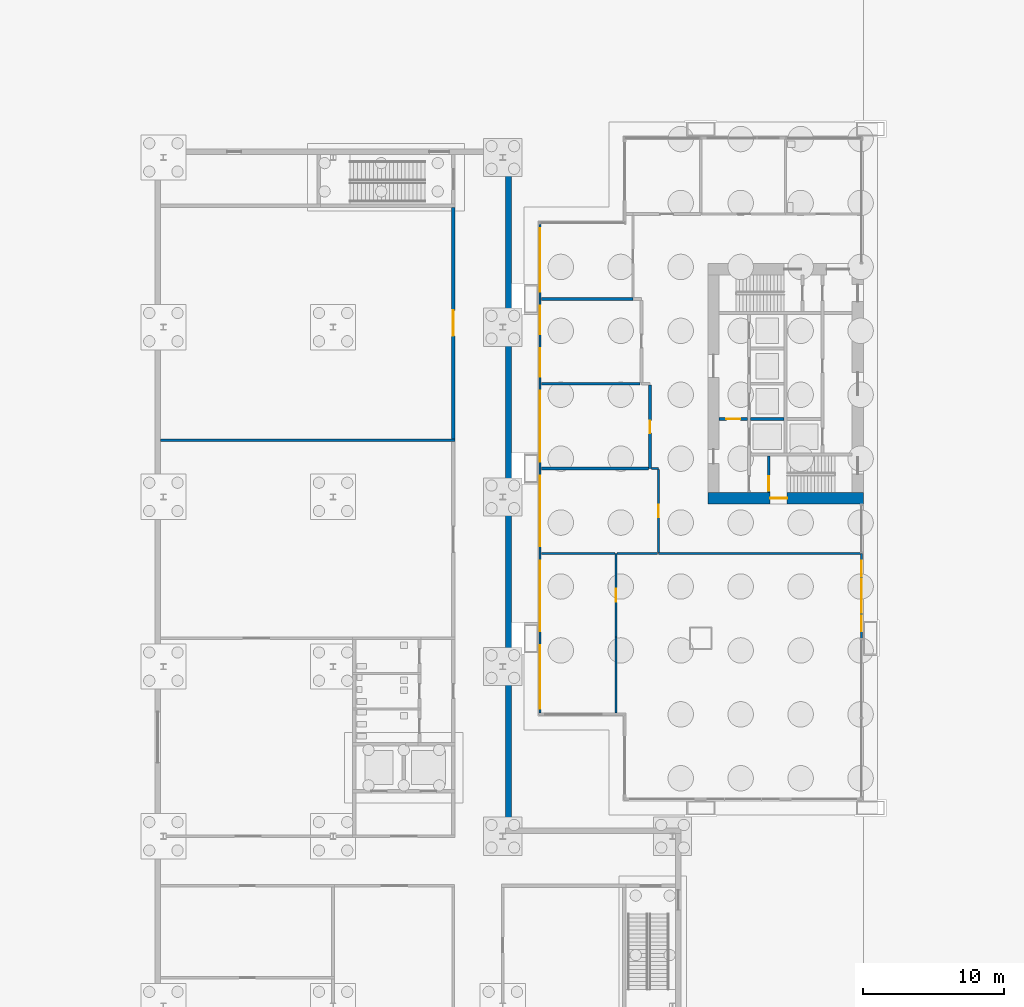
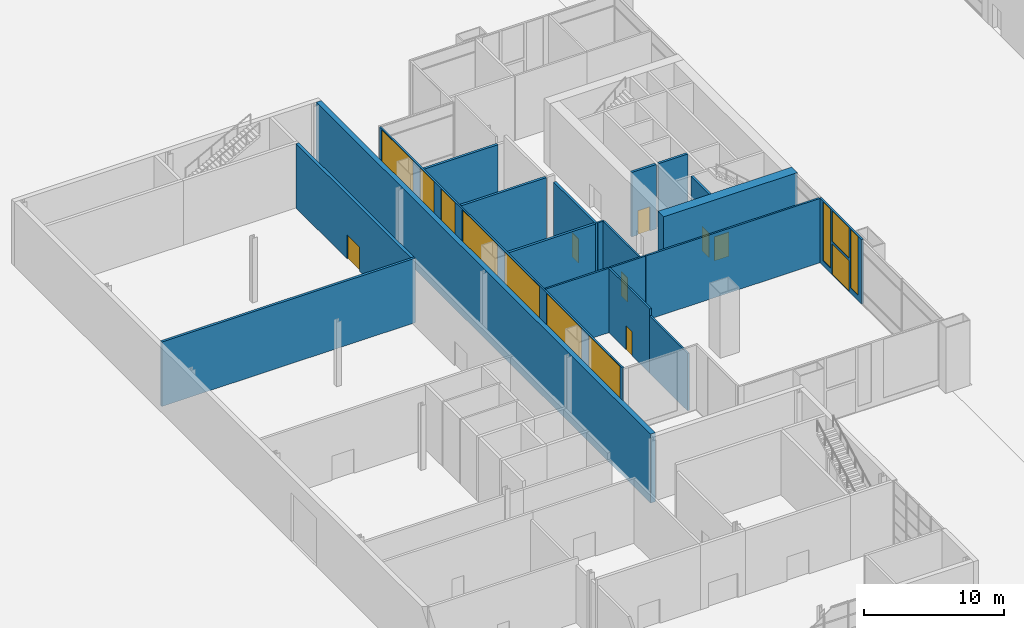
# One storey, part 20 of 29: 20 walls, 10 windows, 8 doors, 18 openings.
"""IFC4 building model written with IfcOpenShell, lengths in metres."""

import ifcopenshell
import ifcopenshell.guid

model = None  # the IFC model being written
_history = None  # IfcOwnerHistory: only IFC2X3 demands one
_inside = {}  # id of a spatial element -> (the spatial element, [elements in it])
_under = {}  # id of a project, library or spatial element -> (it, [spatial elements below it])
_declared = {}  # id of a project -> (the project, [libraries it declares])
_typed = {}  # id of a type object -> (the type object, [elements of that type])
_made_of = {}  # id of a material, layer set ... -> (it, [elements and type objects made of it])


def new_model(schema):
    """Start an empty IFC model of exactly this schema.

    Asked for "IFC4X3", IfcOpenShell would pick the latest addendum, in which some entities
    have other attributes; the version numbers below select the first issue.
    IFC2X3 requires an IfcOwnerHistory on every rooted entity: one is made here for all.
    """
    global model, _history
    if schema == "IFC4X3":
        model = ifcopenshell.file(schema_version=(4, 3, 0, 0))
    else:
        model = ifcopenshell.file(schema=schema)
    _inside.clear()
    _under.clear()
    _declared.clear()
    _typed.clear()
    _made_of.clear()
    _history = None
    if model.schema == "IFC2X3":
        org = make("IfcOrganization", Name="unknown")
        user = make(
            "IfcPersonAndOrganization",
            ThePerson=make("IfcPerson", FamilyName="unknown"),
            TheOrganization=org,
        )
        app = make(
            "IfcApplication",
            ApplicationDeveloper=org,
            Version="unknown",
            ApplicationFullName="unknown",
            ApplicationIdentifier="unknown",
        )
        _history = make(
            "IfcOwnerHistory",
            OwningUser=user,
            OwningApplication=app,
            ChangeAction="ADDED",
            CreationDate=0,
        )
    return model


def make(cls, **values):
    """One entity of the class cls with the attributes given. An attribute that is None is left unset."""
    return model.create_entity(
        cls, **{name: value for name, value in values.items() if value is not None}
    )


def rooted(cls, **values):
    """An entity with a GlobalId (a new one), such as an element, a storey or a relation."""
    return make(cls, GlobalId=ifcopenshell.guid.new(), OwnerHistory=_history, **values)


def si_unit(unit_type, name, prefix=None):
    """IfcSIUnit, for example si_unit("LENGTHUNIT", "METRE", prefix="MILLI")."""
    return make("IfcSIUnit", UnitType=unit_type, Prefix=prefix, Name=name)


def assignment(units):
    """IfcUnitAssignment: the units of a project."""
    return None if units is None else make("IfcUnitAssignment", Units=units)


def point(xyz):
    """IfcCartesianPoint."""
    return None if xyz is None else make("IfcCartesianPoint", Coordinates=xyz)


def direction(xyz):
    """IfcDirection."""
    return None if xyz is None else make("IfcDirection", DirectionRatios=xyz)


def frame(location, z_axis=None, x_axis=None):
    """IfcAxis2Placement3D, a coordinate frame: its origin and axes. An axis left out is left unset."""
    return make(
        "IfcAxis2Placement3D",
        Location=point(location),
        Axis=direction(z_axis),
        RefDirection=direction(x_axis),
    )


def frame_2d(location, x_axis=None):
    """IfcAxis2Placement2D, a coordinate frame in the plane: its origin and x axis."""
    return make(
        "IfcAxis2Placement2D", Location=point(location), RefDirection=direction(x_axis)
    )


def origin():
    """The frame at (0, 0, 0) with its axes left unset."""
    return frame((0.0, 0.0, 0.0))


def place(relative_to, where):
    """IfcLocalPlacement: puts the frame where relative to a parent placement (None: the world)."""
    return make(
        "IfcLocalPlacement", PlacementRelTo=relative_to, RelativePlacement=where
    )


def context(
    kind, dimensions, precision=None, world=None, true_north=None, identifier=None
):
    """IfcGeometricRepresentationContext, for example the 3D "Model" context."""
    return make(
        "IfcGeometricRepresentationContext",
        ContextIdentifier=identifier,
        ContextType=kind,
        CoordinateSpaceDimension=dimensions,
        Precision=precision,
        WorldCoordinateSystem=world,
        TrueNorth=true_north,
    )


def subcontext(parent, identifier, kind, view, scale=None):
    """IfcGeometricRepresentationSubContext, for example "Body" below "Model"."""
    return make(
        "IfcGeometricRepresentationSubContext",
        ContextIdentifier=identifier,
        ContextType=kind,
        ParentContext=parent,
        TargetScale=scale,
        TargetView=view,
    )


def project(units=None, contexts=None):
    """IfcProject with its units and contexts."""
    return rooted(
        "IfcProject",
        Name="project",
        RepresentationContexts=contexts,
        UnitsInContext=assignment(units),
    )


def spatial(cls, under=None, at=None, **own):
    """A site, building, storey or space (cls), placed at a placement, below another one or the project."""
    s = rooted(cls, ObjectPlacement=at, **own)
    if under is not None:
        _under.setdefault(under.id(), (under, []))[1].append(s)
    return s


def profile(cls, at=None, kind="AREA", **sizes):
    """A parametric profile (cls). Its sizes go by their IFC names, for example OverallWidth=200.0."""
    return make(cls, ProfileType=kind, Position=at, **sizes)


def rectangle(**sizes):
    """IfcRectangleProfileDef."""
    return profile("IfcRectangleProfileDef", **sizes)


def extrude(swept, where, along, depth):
    """IfcExtrudedAreaSolid: the profile swept, set in the frame where, extruded along a direction by depth."""
    return make(
        "IfcExtrudedAreaSolid",
        SweptArea=swept,
        Position=where,
        ExtrudedDirection=direction(along),
        Depth=depth,
    )


def shape(context_of_items, identifier, shape_type, items):
    """IfcShapeRepresentation: the items that make up one representation, for example the "Body"."""
    return make(
        "IfcShapeRepresentation",
        ContextOfItems=context_of_items,
        RepresentationIdentifier=identifier,
        RepresentationType=shape_type,
        Items=items,
    )


def material(Name=None, Category=None):
    """IfcMaterial."""
    return make("IfcMaterial", Name=Name, Category=Category)


def layer(
    of_material, thickness, ventilated=None, Name=None, Category=None, Priority=None
):
    """IfcMaterialLayer: one layer of a wall or slab, of a material (None: an air gap)."""
    return make(
        "IfcMaterialLayer",
        Material=of_material,
        LayerThickness=thickness,
        IsVentilated=ventilated,
        Name=Name,
        Category=Category,
        Priority=Priority,
    )


def layer_set(layers, Name=None):
    """IfcMaterialLayerSet."""
    return make("IfcMaterialLayerSet", MaterialLayers=layers, LayerSetName=Name)


def made_of(thing, what):
    """Note that an element or type object is made of a material, layer set ...; save() writes the relation."""
    if what is not None:
        _made_of.setdefault(what.id(), (what, []))[1].append(thing)
    return thing


def type_object(cls, material=None, **own):
    """A type object (cls), such as IfcWallType, which elements share."""
    return made_of(rooted(cls, **own), material)


def element(
    cls,
    number,
    at=None,
    inside=None,
    cuts=None,
    type_object=None,
    material=None,
    context=None,
    identifier="Body",
    shape_type=None,
    held_by="IfcProductDefinitionShape",
    body=None,
    shapes=None,
    **own,
):
    """One element of the class cls, such as IfcWall. Its Tag is "e" and its number.

    at: its placement. inside: the storey or other place that contains it. cuts: it is an
    opening in that element (IfcRelVoidsElement). A single representation is given by context,
    identifier, shape_type and body (its items); several are given by shapes. held_by: the class
    of the entity that holds the representations. save() writes the other relations.
    """
    e = rooted(cls, Tag="e%d" % number, ObjectPlacement=at, **own)
    if body is not None:
        shapes = [shape(context, identifier, shape_type, body)]
    if shapes is not None:
        e.Representation = make(held_by, Representations=shapes)
    if inside is not None:
        _inside.setdefault(inside.id(), (inside, []))[1].append(e)
    if cuts is not None:
        rooted(
            "IfcRelVoidsElement", RelatingBuildingElement=cuts, RelatedOpeningElement=e
        )
    if type_object is not None:
        _typed.setdefault(type_object.id(), (type_object, []))[1].append(e)
    return made_of(e, material)


def fill(opening, filler):
    """IfcRelFillsElement: the door or window that sits in an opening."""
    return rooted(
        "IfcRelFillsElement",
        RelatingOpeningElement=opening,
        RelatedBuildingElement=filler,
    )


def aggregate(whole, parts):
    """IfcRelAggregates: a whole, such as a stair, and the parts it consists of."""
    return rooted("IfcRelAggregates", RelatingObject=whole, RelatedObjects=parts)


def save(model, path):
    """Write the relations noted so far, then the file.

    IfcRelAggregates (storeys below a building ...), IfcRelContainedInSpatialStructure (elements
    in a storey), IfcRelDefinesByType, IfcRelAssociatesMaterial and IfcRelDeclares: one each for
    every whole, place, type object, material and project.
    """
    for whole, parts in _under.values():
        aggregate(whole, parts)
    for where, things in _inside.values():
        rooted(
            "IfcRelContainedInSpatialStructure",
            RelatedElements=things,
            RelatingStructure=where,
        )
    for kind, things in _typed.values():
        rooted("IfcRelDefinesByType", RelatedObjects=things, RelatingType=kind)
    for what, things in _made_of.values():
        rooted("IfcRelAssociatesMaterial", RelatedObjects=things, RelatingMaterial=what)
    for by, libraries in _declared.values():
        rooted("IfcRelDeclares", RelatingContext=by, RelatedDefinitions=libraries)
    model.write(path)


model = new_model("IFC4")

# Units and contexts
model_context = context("Model", 3, precision=1e-05, world=origin(), true_north=direction((0.0, 1.0)))
body_context = subcontext(model_context, "Body", "Model", "MODEL_VIEW")
ifc_project = project(units=[si_unit("LENGTHUNIT", "METRE"), si_unit("AREAUNIT", "SQUARE_METRE"), si_unit("VOLUMEUNIT", "CUBIC_METRE"), si_unit("PLANEANGLEUNIT", "RADIAN"), si_unit("MASSUNIT", "GRAM", prefix="KILO")], contexts=[model_context])

# Site, building, storey
site_placement = place(None, origin())
site = spatial("IfcSite", under=ifc_project, at=site_placement, CompositionType="ELEMENT")
building_placement = place(site_placement, origin())
building = spatial("IfcBuilding", under=site, at=building_placement, Name="Kitamizu Gate Tower and Museum", CompositionType="ELEMENT")
storey_placement = place(building_placement, origin())
storey = spatial("IfcBuildingStorey", under=building, at=storey_placement, Name="L00", CompositionType="ELEMENT", Elevation=0.0)

# Wall, opening, door
ifc_material_1 = material(Name="Concrete Fc60", Category="concrete")
ifc_layer_1 = layer(ifc_material_1, 0.800048828125)
ifc_layer_set_1 = layer_set([ifc_layer_1], Name="Concrete Fc60")
wall_type_1 = type_object("IfcWallType", Name="Core wall 800", PredefinedType="SHEAR", material=ifc_layer_set_1)
wall_1_placement = place(storey_placement, frame((12.5, 21.89990234375, 0.0), z_axis=(0.0, 0.0, 1.0), x_axis=(1.0, 0.0, 0.0)))
wall_1 = element("IfcWall", 1, at=wall_1_placement, inside=storey, type_object=wall_type_1, Name="Core wall WS", PredefinedType="SHEAR", context=body_context, shape_type="SweptSolid", body=[
    extrude(rectangle(XDim=11.0, YDim=0.800048828125, at=frame_2d((5.5, 0.0))), origin(), (0.0, 0.0, 1.0), 5.60009765625),
])
opening_1_placement = place(wall_1_placement, frame((4.39990234375, 0.0, 0.0)))
opening_1 = element("IfcOpeningElement", 2, at=opening_1_placement, cuts=wall_1, Name="Opening L00-024", PredefinedType="OPENING", context=body_context, shape_type="SweptSolid", body=[
    extrude(rectangle(XDim=1.199951171875, YDim=2.10009765625, at=frame_2d((0.60009765625, 1.050048828125))), frame((0.0, 0.41015625, 0.0), z_axis=(0.0, -1.0, 0.0), x_axis=(1.0, 0.0, 0.0)), (0.0, 0.0, 1.0), 0.820068359375),
])
ifc_material_2 = material(Name="Timber door set", Category="wood")
door_type_1 = type_object("IfcDoorType", Name="Exit door 1200", OperationType="DOUBLE_DOOR_SINGLE_SWING", PredefinedType="DOOR", material=ifc_material_2)
door_1_placement = place(opening_1_placement, frame((1.199951171875, 0.0, 0.0), x_axis=(-1.0, 0.0, 0.0)))
door_1 = element("IfcDoor", 3, at=door_1_placement, inside=storey, type_object=door_type_1, Name="Stair exit door L00-024", OperationType="DOUBLE_DOOR_SINGLE_SWING", OverallHeight=2.10009765625, OverallWidth=1.199951171875, PredefinedType="DOOR", context=body_context, shape_type="SweptSolid", body=[
    extrude(rectangle(XDim=1.199951171875, YDim=2.10009765625, at=frame_2d((0.60009765625, 1.050048828125))), frame((0.0, 0.02490234375, 0.0), z_axis=(0.0, -1.0, 0.0), x_axis=(1.0, 0.0, 0.0)), (0.0, 0.0, 1.0), 0.050048828125),
])
fill(opening_1, door_1)

# Walls
ifc_material_3 = material(Name="Concrete Fc30 precast", Category="concrete")
ifc_layer_2 = layer(ifc_material_3, 0.39990234375)
ifc_layer_set_2 = layer_set([ifc_layer_2], Name="Concrete Fc30 precast")
wall_type_2 = type_object("IfcWallType", Name="Museum cladding wall 400", PredefinedType="STANDARD", material=ifc_layer_set_2)
wall_2_placement = place(storey_placement, frame((-1.60009765625, -1.39990234375, -0.39990234375), z_axis=(0.0, 0.0, 1.0), x_axis=(0.0, 1.0, 0.0)))
element("IfcWall", 4, at=wall_2_placement, inside=storey, type_object=wall_type_2, Name="Cladding wall L00.7", PredefinedType="STANDARD", context=body_context, shape_type="SweptSolid", body=[
    extrude(rectangle(XDim=47.599853515625, YDim=0.39990234375, at=frame_2d((23.7998046875, 0.0))), origin(), (0.0, 0.0, 1.0), 6.0),
])
ifc_material_4 = material(Name="Gypsum board on galvanised stud")
ifc_layer_3 = layer(ifc_material_4, 0.199951171875)
ifc_layer_set_3 = layer_set([ifc_layer_3], Name="Gypsum board on galvanised stud")
wall_type_3 = type_object("IfcWallType", Name="Museum fire rated partition 200", PredefinedType="PARTITIONING", material=ifc_layer_set_3)
wall_3_placement = place(storey_placement, frame((-26.199951171875, 26.0, 0.0), z_axis=(0.0, 0.0, 1.0), x_axis=(1.0, 0.0, 0.0)))
element("IfcWall", 5, at=wall_3_placement, inside=storey, type_object=wall_type_3, Name="Fire-rated partition L00.20.1", PredefinedType="PARTITIONING", context=body_context, shape_type="SweptSolid", body=[
    extrude(rectangle(XDim=20.824951171875, YDim=0.199951171875, at=frame_2d((10.41259765625, 0.0))), origin(), (0.0, 0.0, 1.0), 5.60009765625),
])

# Wall, opening, door
ifc_material_5 = material(Name="Gypsum board on galvanised stud")
ifc_layer_4 = layer(ifc_material_5, 0.25)
ifc_layer_set_4 = layer_set([ifc_layer_4], Name="Gypsum board on galvanised stud")
wall_type_4 = type_object("IfcWallType", Name="Museum fire rated partition 250", PredefinedType="PARTITIONING", material=ifc_layer_set_4)
wall_4_placement = place(storey_placement, frame((-5.5, 26.10009765625, 0.0), z_axis=(0.0, 0.0, 1.0), x_axis=(0.0, 1.0, 0.0)))
wall_4 = element("IfcWall", 6, at=wall_4_placement, inside=storey, type_object=wall_type_4, Name="Fire-rated partition L00.7.1", PredefinedType="PARTITIONING", context=body_context, shape_type="SweptSolid", body=[
    extrude(rectangle(XDim=16.375, YDim=0.25, at=frame_2d((8.1875, 0.0))), origin(), (0.0, 0.0, 1.0), 5.60009765625),
])
opening_2_placement = place(wall_4_placement, frame((7.2880859375, 0.0, 0.0)))
opening_2 = element("IfcOpeningElement", 7, at=opening_2_placement, cuts=wall_4, Name="Opening MUS-L00-027", PredefinedType="OPENING", context=body_context, shape_type="SweptSolid", body=[
    extrude(rectangle(XDim=1.800048828125, YDim=2.10009765625, at=frame_2d((0.89990234375, 1.050048828125))), frame((0.0, 0.135009765625, 0.0), z_axis=(0.0, -1.0, 0.0), x_axis=(1.0, 0.0, 0.0)), (0.0, 0.0, 1.0), 0.27001953125),
])
ifc_material_6 = material(Name="Timber leaf in hollow metal frame", Category="wood")
door_type_2 = type_object("IfcDoorType", Name="Museum door 1800x2100 FD60", OperationType="DOUBLE_DOOR_SINGLE_SWING", PredefinedType="DOOR", material=ifc_material_6)
door_2_placement = place(opening_2_placement, origin())
door_2 = element("IfcDoor", 8, at=door_2_placement, inside=storey, type_object=door_type_2, Name="Door Conservation laboratory", OperationType="DOUBLE_DOOR_SINGLE_SWING", OverallHeight=2.10009765625, OverallWidth=1.800048828125, PredefinedType="DOOR", context=body_context, shape_type="SweptSolid", body=[
    extrude(rectangle(XDim=1.800048828125, YDim=2.10009765625, at=frame_2d((0.89990234375, 1.050048828125))), frame((0.0, 0.02490234375, 0.0), z_axis=(0.0, -1.0, 0.0), x_axis=(1.0, 0.0, 0.0)), (0.0, 0.0, 1.0), 0.050048828125),
])
fill(opening_2, door_2)

# Walls
ifc_material_7 = material(Name="Gypsum board on galvanised stud")
ifc_layer_5 = layer(ifc_material_7, 0.14990234375)
ifc_layer_set_5 = layer_set([ifc_layer_5], Name="Gypsum board on galvanised stud")
wall_type_5 = type_object("IfcWallType", Name="Partition 150", PredefinedType="PARTITIONING", material=ifc_layer_set_5)
wall_5_placement = place(storey_placement, frame((9.0, 18.0, 0.0), z_axis=(0.0, 0.0, 1.0), x_axis=(1.0, 0.0, 0.0)))
element("IfcWall", 9, at=wall_5_placement, inside=storey, type_object=wall_type_5, Name="Partition L00-001", PredefinedType="PARTITIONING", context=body_context, shape_type="SweptSolid", body=[
    extrude(rectangle(XDim=14.280029296875, YDim=0.14990234375, at=frame_2d((7.14013671875, 0.0))), origin(), (0.0, 0.0, 1.0), 5.60009765625),
])
wall_6_placement = place(storey_placement, frame((8.5, 24.0, 0.0), z_axis=(0.0, 0.0, 1.0), x_axis=(1.0, 0.0, 0.0)))
element("IfcWall", 10, at=wall_6_placement, inside=storey, type_object=wall_type_5, Name="Partition L00-002", PredefinedType="PARTITIONING", context=body_context, shape_type="SweptSolid", body=[
    extrude(rectangle(XDim=0.5, YDim=0.14990234375, at=frame_2d((0.25, 0.0))), origin(), (0.0, 0.0, 1.0), 5.0),
])

# Wall, opening, door
wall_7_placement = place(storey_placement, frame((9.0, 23.925048828125, 0.0), z_axis=(0.0, 0.0, 1.0), x_axis=(0.0, -1.0, 0.0)))
wall_7 = element("IfcWall", 11, at=wall_7_placement, inside=storey, type_object=wall_type_5, Name="Partition L00-003", PredefinedType="PARTITIONING", context=body_context, shape_type="SweptSolid", body=[
    extrude(rectangle(XDim=5.85009765625, YDim=0.14990234375, at=frame_2d((2.925048828125, 0.0))), origin(), (0.0, 0.0, 1.0), 5.0),
])
opening_3_placement = place(wall_7_placement, frame((2.47509765625, 0.0, 0.0)))
opening_3 = element("IfcOpeningElement", 12, at=opening_3_placement, cuts=wall_7, Name="Opening L00-008", PredefinedType="OPENING", context=body_context, shape_type="SweptSolid", body=[
    extrude(rectangle(XDim=0.89990234375, YDim=2.10009765625, at=frame_2d((0.449951171875, 1.050048828125))), frame((0.0, 0.0849609375, 0.0), z_axis=(0.0, -1.0, 0.0), x_axis=(1.0, 0.0, 0.0)), (0.0, 0.0, 1.0), 0.169921875),
])
ifc_material_8 = material(Name="Timber door set", Category="wood")
door_type_3 = type_object("IfcDoorType", Name="Room door 900", OperationType="NOTDEFINED", PredefinedType="DOOR", material=ifc_material_8)
door_3_placement = place(opening_3_placement, frame((0.89990234375, 0.0, 0.0), x_axis=(-1.0, 0.0, 0.0)))
door_3 = element("IfcDoor", 13, at=door_3_placement, inside=storey, type_object=door_type_3, Name="Door L00-008", OperationType="SINGLE_SWING_RIGHT", OverallHeight=2.10009765625, OverallWidth=0.89990234375, PredefinedType="DOOR", context=body_context, shape_type="SweptSolid", body=[
    extrude(rectangle(XDim=0.89990234375, YDim=2.10009765625, at=frame_2d((0.449951171875, 1.050048828125))), frame((0.0, 0.02490234375, 0.0), z_axis=(0.0, -1.0, 0.0), x_axis=(1.0, 0.0, 0.0)), (0.0, 0.0, 1.0), 0.050048828125),
])
fill(opening_3, door_3)

# Wall
wall_8_placement = place(storey_placement, frame((6.0, 6.719970703125, 0.0), z_axis=(0.0, 0.0, 1.0), x_axis=(0.0, 1.0, 0.0)))
element("IfcWall", 14, at=wall_8_placement, inside=storey, type_object=wall_type_5, Name="Partition L00-027", PredefinedType="PARTITIONING", context=body_context, shape_type="SweptSolid", body=[
    extrude(rectangle(XDim=5.380126953125, YDim=0.14990234375, at=frame_2d((2.68994140625, 0.0))), origin(), (0.0, 0.0, 1.0), 5.0),
])

# Wall, opening, door
wall_9_placement = place(storey_placement, frame((6.0, 12.10009765625, 0.0), z_axis=(0.0, 0.0, 1.0), x_axis=(0.0, 1.0, 0.0)))
wall_9 = element("IfcWall", 15, at=wall_9_placement, inside=storey, type_object=wall_type_5, Name="Partition L00-028", PredefinedType="PARTITIONING", context=body_context, shape_type="SweptSolid", body=[
    extrude(rectangle(XDim=5.89990234375, YDim=0.14990234375, at=frame_2d((2.949951171875, 0.0))), origin(), (0.0, 0.0, 1.0), 5.60009765625),
])
opening_4_placement = place(wall_9_placement, frame((2.5, 0.0, 0.0)))
opening_4 = element("IfcOpeningElement", 16, at=opening_4_placement, cuts=wall_9, Name="Opening L00-007", PredefinedType="OPENING", context=body_context, shape_type="SweptSolid", body=[
    extrude(rectangle(XDim=0.89990234375, YDim=2.10009765625, at=frame_2d((0.449951171875, 1.050048828125))), frame((0.0, 0.0849609375, 0.0), z_axis=(0.0, -1.0, 0.0), x_axis=(1.0, 0.0, 0.0)), (0.0, 0.0, 1.0), 0.169921875),
])
door_4_placement = place(opening_4_placement, origin())
door_4 = element("IfcDoor", 17, at=door_4_placement, inside=storey, type_object=door_type_3, Name="Door L00-007", OperationType="SINGLE_SWING_RIGHT", OverallHeight=2.10009765625, OverallWidth=0.89990234375, PredefinedType="DOOR", context=body_context, shape_type="SweptSolid", body=[
    extrude(rectangle(XDim=0.89990234375, YDim=2.10009765625, at=frame_2d((0.449951171875, 1.050048828125))), frame((0.0, 0.02490234375, 0.0), z_axis=(0.0, -1.0, 0.0), x_axis=(1.0, 0.0, 0.0)), (0.0, 0.0, 1.0), 0.050048828125),
])
fill(opening_4, door_4)

# Walls
wall_10_placement = place(storey_placement, frame((5.925048828125, 18.0, 0.0), z_axis=(0.0, 0.0, 1.0), x_axis=(-1.0, 0.0, 0.0)))
element("IfcWall", 18, at=wall_10_placement, inside=storey, type_object=wall_type_5, Name="Partition L00-029", PredefinedType="PARTITIONING", context=body_context, shape_type="SweptSolid", body=[
    extrude(rectangle(XDim=5.205078125, YDim=0.14990234375, at=frame_2d((2.6025390625, 0.0))), origin(), (0.0, 0.0, 1.0), 5.60009765625),
])
wall_11_placement = place(storey_placement, frame((8.925048828125, 18.0, 0.0), z_axis=(0.0, 0.0, 1.0), x_axis=(-1.0, 0.0, 0.0)))
element("IfcWall", 19, at=wall_11_placement, inside=storey, type_object=wall_type_5, Name="Partition L00-030", PredefinedType="PARTITIONING", context=body_context, shape_type="SweptSolid", body=[
    extrude(rectangle(XDim=2.85009765625, YDim=0.14990234375, at=frame_2d((1.425048828125, 0.0))), origin(), (0.0, 0.0, 1.0), 5.60009765625),
])

# Wall, opening, door
ifc_material_9 = material(Name="Gypsum board on galvanised stud")
ifc_layer_6 = layer(ifc_material_9, 0.199951171875)
ifc_layer_set_6 = layer_set([ifc_layer_6], Name="Gypsum board on galvanised stud")
wall_type_6 = type_object("IfcWallType", Name="Partition 200", PredefinedType="PARTITIONING", material=ifc_layer_set_6)
wall_12_placement = place(storey_placement, frame((8.39990234375, 29.89990234375, 0.0), z_axis=(0.0, 0.0, 1.0), x_axis=(0.0, -1.0, 0.0)))
wall_12 = element("IfcWall", 20, at=wall_12_placement, inside=storey, type_object=wall_type_6, Name="Partition L00-005", PredefinedType="PARTITIONING", context=body_context, shape_type="SweptSolid", body=[
    extrude(rectangle(XDim=5.89990234375, YDim=0.199951171875, at=frame_2d((2.949951171875, 0.0))), origin(), (0.0, 0.0, 1.0), 5.0),
])
opening_5_placement = place(wall_12_placement, frame((2.5, 0.0, 0.0)))
opening_5 = element("IfcOpeningElement", 21, at=opening_5_placement, cuts=wall_12, Name="Opening L00-009", PredefinedType="OPENING", context=body_context, shape_type="SweptSolid", body=[
    extrude(rectangle(XDim=0.89990234375, YDim=2.10009765625, at=frame_2d((0.449951171875, 1.050048828125))), frame((0.0, 0.10986328125, 0.0), z_axis=(0.0, -1.0, 0.0), x_axis=(1.0, 0.0, 0.0)), (0.0, 0.0, 1.0), 0.219970703125),
])
ifc_material_10 = material(Name="Timber door set", Category="wood")
door_type_4 = type_object("IfcDoorType", Name="Store door 900", OperationType="NOTDEFINED", PredefinedType="DOOR", material=ifc_material_10)
door_5_placement = place(opening_5_placement, frame((0.89990234375, 0.0, 0.0), x_axis=(-1.0, 0.0, 0.0)))
door_5 = element("IfcDoor", 22, at=door_5_placement, inside=storey, type_object=door_type_4, Name="Store door L00-009", OperationType="SINGLE_SWING_LEFT", OverallHeight=2.10009765625, OverallWidth=0.89990234375, PredefinedType="DOOR", context=body_context, shape_type="SweptSolid", body=[
    extrude(rectangle(XDim=0.89990234375, YDim=2.10009765625, at=frame_2d((0.449951171875, 1.050048828125))), frame((0.0, 0.02490234375, 0.0), z_axis=(0.0, -1.0, 0.0), x_axis=(1.0, 0.0, 0.0)), (0.0, 0.0, 1.0), 0.050048828125),
])
fill(opening_5, door_5)

# Walls
wall_13_placement = place(storey_placement, frame((8.300048828125, 24.0, 0.0), z_axis=(0.0, 0.0, 1.0), x_axis=(-1.0, 0.0, 0.0)))
element("IfcWall", 23, at=wall_13_placement, inside=storey, type_object=wall_type_6, Name="Partition L00-031", PredefinedType="PARTITIONING", context=body_context, shape_type="SweptSolid", body=[
    extrude(rectangle(XDim=7.580078125, YDim=0.199951171875, at=frame_2d((3.7900390625, 0.0))), origin(), (0.0, 0.0, 1.0), 5.0),
])
wall_14_placement = place(storey_placement, frame((7.699951171875, 30.0, 0.0), z_axis=(0.0, 0.0, 1.0), x_axis=(-1.0, 0.0, 0.0)))
element("IfcWall", 24, at=wall_14_placement, inside=storey, type_object=wall_type_6, Name="Partition L00-032", PredefinedType="PARTITIONING", context=body_context, shape_type="SweptSolid", body=[
    extrude(rectangle(XDim=6.97998046875, YDim=0.199951171875, at=frame_2d((3.489990234375, 0.0))), origin(), (0.0, 0.0, 1.0), 5.60009765625),
])
wall_15_placement = place(storey_placement, frame((7.199951171875, 36.0, 0.0), z_axis=(0.0, 0.0, 1.0), x_axis=(-1.0, 0.0, 0.0)))
element("IfcWall", 25, at=wall_15_placement, inside=storey, type_object=wall_type_6, Name="Partition L00-033", PredefinedType="PARTITIONING", context=body_context, shape_type="SweptSolid", body=[
    extrude(rectangle(XDim=6.47998046875, YDim=0.199951171875, at=frame_2d((3.239990234375, 0.0))), origin(), (0.0, 0.0, 1.0), 5.0),
])

# Wall, opening, door
ifc_material_11 = material(Name="Concrete Fc42", Category="concrete")
ifc_layer_7 = layer(ifc_material_11, 0.199951171875)
ifc_layer_set_7 = layer_set([ifc_layer_7], Name="Concrete Fc42")
wall_type_7 = type_object("IfcWallType", Name="Shaft wall 200", PredefinedType="SOLIDWALL", material=ifc_layer_set_7)
wall_16_placement = place(storey_placement, frame((13.300048828125, 27.5, 0.0), z_axis=(0.0, 0.0, 1.0), x_axis=(1.0, 0.0, 0.0)))
wall_16 = element("IfcWall", 26, at=wall_16_placement, inside=storey, type_object=wall_type_7, Name="Shaft wall WFFN", PredefinedType="SOLIDWALL", context=body_context, shape_type="SweptSolid", body=[
    extrude(rectangle(XDim=2.0, YDim=0.199951171875, at=frame_2d((1.0, 0.0))), origin(), (0.0, 0.0, 1.0), 5.60009765625),
])
opening_6_placement = place(wall_16_placement, frame((0.5, 0.0, 0.0)))
opening_6 = element("IfcOpeningElement", 27, at=opening_6_placement, cuts=wall_16, Name="Opening L00-019", PredefinedType="OPENING", context=body_context, shape_type="SweptSolid", body=[
    extrude(rectangle(XDim=1.0, YDim=2.10009765625, at=frame_2d((0.5, 1.050048828125))), frame((0.0, 0.10986328125, 0.0), z_axis=(0.0, -1.0, 0.0), x_axis=(1.0, 0.0, 0.0)), (0.0, 0.0, 1.0), 0.219970703125),
])
ifc_material_12 = material(Name="Hollow metal door set")
door_type_5 = type_object("IfcDoorType", Name="Fire door 1000", OperationType="NOTDEFINED", PredefinedType="DOOR", material=ifc_material_12)
door_6_placement = place(opening_6_placement, frame((1.0, 0.0, 0.0), x_axis=(-1.0, 0.0, 0.0)))
door_6 = element("IfcDoor", 28, at=door_6_placement, inside=storey, type_object=door_type_5, Name="Fire-fighting lobby door L00-019", OperationType="SINGLE_SWING_LEFT", OverallHeight=2.10009765625, OverallWidth=1.0, PredefinedType="DOOR", context=body_context, shape_type="SweptSolid", body=[
    extrude(rectangle(XDim=1.0, YDim=2.10009765625, at=frame_2d((0.5, 1.050048828125))), frame((0.0, 0.02490234375, 0.0), z_axis=(0.0, -1.0, 0.0), x_axis=(1.0, 0.0, 0.0)), (0.0, 0.0, 1.0), 0.050048828125),
])
fill(opening_6, door_6)

wall_17_placement = place(storey_placement, frame((16.800048828125, 22.300048828125, 0.0), z_axis=(0.0, 0.0, 1.0), x_axis=(0.0, 1.0, 0.0)))
wall_17 = element("IfcWall", 29, at=wall_17_placement, inside=storey, type_object=wall_type_7, Name="Shaft wall WSZ", PredefinedType="SOLIDWALL", context=body_context, shape_type="SweptSolid", body=[
    extrude(rectangle(XDim=2.599853515625, YDim=0.199951171875, at=frame_2d((1.2998046875, 0.0))), origin(), (0.0, 0.0, 1.0), 5.60009765625),
])
opening_7_placement = place(wall_17_placement, frame((0.14990234375, 0.0, 0.0)))
opening_7 = element("IfcOpeningElement", 30, at=opening_7_placement, cuts=wall_17, Name="Opening L00-015", PredefinedType="OPENING", context=body_context, shape_type="SweptSolid", body=[
    extrude(rectangle(XDim=1.0, YDim=2.10009765625, at=frame_2d((0.5, 1.050048828125))), frame((0.0, 0.10986328125, 0.0), z_axis=(0.0, -1.0, 0.0), x_axis=(1.0, 0.0, 0.0)), (0.0, 0.0, 1.0), 0.219970703125),
])
door_7_placement = place(opening_7_placement, frame((1.0, 0.0, 0.0), x_axis=(-1.0, 0.0, 0.0)))
door_7 = element("IfcDoor", 31, at=door_7_placement, inside=storey, type_object=door_type_5, Name="Stair door L00-015", OperationType="SINGLE_SWING_LEFT", OverallHeight=2.10009765625, OverallWidth=1.0, PredefinedType="DOOR", context=body_context, shape_type="SweptSolid", body=[
    extrude(rectangle(XDim=1.0, YDim=2.10009765625, at=frame_2d((0.5, 1.050048828125))), frame((0.0, 0.02490234375, 0.0), z_axis=(0.0, -1.0, 0.0), x_axis=(1.0, 0.0, 0.0)), (0.0, 0.0, 1.0), 0.050048828125),
])
fill(opening_7, door_7)

# Wall
wall_18_placement = place(storey_placement, frame((15.5, 27.5, 0.0), z_axis=(0.0, 0.0, 1.0), x_axis=(1.0, 0.0, 0.0)))
element("IfcWall", 32, at=wall_18_placement, inside=storey, type_object=wall_type_7, Name="Shaft wall WDVW0", PredefinedType="SOLIDWALL", context=body_context, shape_type="SweptSolid", body=[
    extrude(rectangle(XDim=2.39990234375, YDim=0.199951171875, at=frame_2d((1.199951171875, 0.0))), origin(), (0.0, 0.0, 1.0), 5.60009765625),
])

# Wall, openings, door, windows
ifc_material_13 = material(Name="Bronze anodised aluminium frame with insulated spandrel and tinted glass", Category="aluminium")
ifc_layer_8 = layer(ifc_material_13, 0.14990234375)
ifc_layer_set_8 = layer_set([ifc_layer_8], Name="Bronze anodised aluminium frame with insulated spandrel and tinted glass")
wall_type_8 = type_object("IfcWallType", Name="WINDOW WALL 150 BRONZE FRAME EI 60", PredefinedType="ELEMENTEDWALL", material=ifc_layer_set_8)
wall_19_placement = place(storey_placement, frame((23.364990234375, 12.0, 0.0), z_axis=(0.0, 0.0, 1.0), x_axis=(0.0, 1.0, 0.0)))
wall_19 = element("IfcWall", 33, at=wall_19_placement, inside=storey, type_object=wall_type_8, Name="Window wall east L00", PredefinedType="ELEMENTEDWALL", context=body_context, shape_type="SweptSolid", body=[
    extrude(rectangle(XDim=6.0, YDim=0.14990234375, at=frame_2d((3.0, 0.0))), origin(), (0.0, 0.0, 1.0), 5.60009765625),
])
opening_8_placement = place(wall_19_placement, frame((0.5, 0.0, 0.449951171875)))
opening_8 = element("IfcOpeningElement", 34, at=opening_8_placement, cuts=wall_19, Name="Opening W9", PredefinedType="OPENING", context=body_context, shape_type="SweptSolid", body=[
    extrude(rectangle(XDim=1.10009765625, YDim=5.10009765625, at=frame_2d((0.550048828125, 2.550048828125))), frame((0.0, 0.0849609375, 0.0), z_axis=(0.0, -1.0, 0.0), x_axis=(1.0, 0.0, 0.0)), (0.0, 0.0, 1.0), 0.169921875),
])
opening_9_placement = place(wall_19_placement, frame((4.39990234375, 0.0, 0.449951171875)))
opening_9 = element("IfcOpeningElement", 35, at=opening_9_placement, cuts=wall_19, Name="Opening W9", PredefinedType="OPENING", context=body_context, shape_type="SweptSolid", body=[
    extrude(rectangle(XDim=1.10009765625, YDim=5.10009765625, at=frame_2d((0.550048828125, 2.550048828125))), frame((0.0, 0.0849609375, 0.0), z_axis=(0.0, -1.0, 0.0), x_axis=(1.0, 0.0, 0.0)), (0.0, 0.0, 1.0), 0.169921875),
])
opening_10_placement = place(wall_19_placement, frame((1.800048828125, 0.0, 0.0)))
opening_10 = element("IfcOpeningElement", 36, at=opening_10_placement, cuts=wall_19, Name="Opening L00-902", PredefinedType="OPENING", context=body_context, shape_type="SweptSolid", body=[
    extrude(rectangle(XDim=2.39990234375, YDim=2.699951171875, at=frame_2d((1.199951171875, 1.35009765625))), frame((0.0, 0.0849609375, 0.0), z_axis=(0.0, -1.0, 0.0), x_axis=(1.0, 0.0, 0.0)), (0.0, 0.0, 1.0), 0.169921875),
])
opening_11_placement = place(wall_19_placement, frame((1.800048828125, 0.0, 2.89990234375)))
opening_11 = element("IfcOpeningElement", 37, at=opening_11_placement, cuts=wall_19, Name="Opening W13", PredefinedType="OPENING", context=body_context, shape_type="SweptSolid", body=[
    extrude(rectangle(XDim=2.39990234375, YDim=2.64990234375, at=frame_2d((1.199951171875, 1.324951171875))), frame((0.0, 0.0849609375, 0.0), z_axis=(0.0, -1.0, 0.0), x_axis=(1.0, 0.0, 0.0)), (0.0, 0.0, 1.0), 0.169921875),
])
ifc_material_14 = material(Name="Bronze anodised aluminium frame, tinted toughened glass", Category="aluminium")
door_type_6 = type_object("IfcDoorType", Name="ENTRANCE DOOR 2400 x 2700 FIRE RATED", OperationType="DOUBLE_DOOR_SINGLE_SWING", PredefinedType="DOOR", material=ifc_material_14)
door_8_placement = place(opening_10_placement, frame((2.39990234375, 0.0, 0.0), x_axis=(-1.0, 0.0, 0.0)))
door_8 = element("IfcDoor", 38, at=door_8_placement, inside=storey, type_object=door_type_6, Name="Entrance door L00-902", OperationType="DOUBLE_DOOR_SINGLE_SWING", OverallHeight=2.699951171875, OverallWidth=2.39990234375, PredefinedType="DOOR", context=body_context, shape_type="SweptSolid", body=[
    extrude(rectangle(XDim=2.39990234375, YDim=2.699951171875, at=frame_2d((1.199951171875, 1.35009765625))), frame((0.0, 0.02490234375, 0.0), z_axis=(0.0, -1.0, 0.0), x_axis=(1.0, 0.0, 0.0)), (0.0, 0.0, 1.0), 0.050048828125),
])
fill(opening_10, door_8)
ifc_material_15 = material(Name="Bronze anodised aluminium frame, tinted triple glazing", Category="aluminium")
window_type_1 = type_object("IfcWindowType", Name="WINDOW 1100 x 5100 SILL 450", PartitioningType="SINGLE_PANEL", PredefinedType="WINDOW", material=ifc_material_15)
window_1_placement = place(opening_8_placement, origin())
window_1 = element("IfcWindow", 39, at=window_1_placement, inside=storey, type_object=window_type_1, Name="Window W9 L00", OverallHeight=5.10009765625, OverallWidth=1.10009765625, PartitioningType="SINGLE_PANEL", PredefinedType="WINDOW", context=body_context, shape_type="SweptSolid", body=[
    extrude(rectangle(XDim=1.10009765625, YDim=5.10009765625, at=frame_2d((0.550048828125, 2.550048828125))), frame((0.0, 0.030029296875, 0.0), z_axis=(0.0, -1.0, 0.0), x_axis=(1.0, 0.0, 0.0)), (0.0, 0.0, 1.0), 0.06005859375),
])
fill(opening_8, window_1)
window_2_placement = place(opening_9_placement, origin())
window_2 = element("IfcWindow", 40, at=window_2_placement, inside=storey, type_object=window_type_1, Name="Window W9 L00", OverallHeight=5.10009765625, OverallWidth=1.10009765625, PartitioningType="SINGLE_PANEL", PredefinedType="WINDOW", context=body_context, shape_type="SweptSolid", body=[
    extrude(rectangle(XDim=1.10009765625, YDim=5.10009765625, at=frame_2d((0.550048828125, 2.550048828125))), frame((0.0, 0.030029296875, 0.0), z_axis=(0.0, -1.0, 0.0), x_axis=(1.0, 0.0, 0.0)), (0.0, 0.0, 1.0), 0.06005859375),
])
fill(opening_9, window_2)
ifc_material_16 = material(Name="Bronze anodised aluminium frame, tinted triple glazing", Category="aluminium")
window_type_2 = type_object("IfcWindowType", Name="WINDOW 2400 x 2650 SILL 2900", PartitioningType="SINGLE_PANEL", PredefinedType="WINDOW", material=ifc_material_16)
window_3_placement = place(opening_11_placement, origin())
window_3 = element("IfcWindow", 41, at=window_3_placement, inside=storey, type_object=window_type_2, Name="Window W13 L00", OverallHeight=2.64990234375, OverallWidth=2.39990234375, PartitioningType="SINGLE_PANEL", PredefinedType="WINDOW", context=body_context, shape_type="SweptSolid", body=[
    extrude(rectangle(XDim=2.39990234375, YDim=2.64990234375, at=frame_2d((1.199951171875, 1.324951171875))), frame((0.0, 0.030029296875, 0.0), z_axis=(0.0, -1.0, 0.0), x_axis=(1.0, 0.0, 0.0)), (0.0, 0.0, 1.0), 0.06005859375),
])
fill(opening_11, window_3)

# Wall, openings, windows
wall_20_placement = place(storey_placement, frame((0.635009765625, 6.7099609375, 0.0), z_axis=(0.0, 0.0, 1.0), x_axis=(0.0, 1.0, 0.0)))
wall_20 = element("IfcWall", 42, at=wall_20_placement, inside=storey, type_object=wall_type_8, Name="Window wall west L00", PredefinedType="ELEMENTEDWALL", context=body_context, shape_type="SweptSolid", body=[
    extrude(rectangle(XDim=34.580078125, YDim=0.14990234375, at=frame_2d((17.2900390625, 0.0))), origin(), (0.0, 0.0, 1.0), 5.60009765625),
])
opening_12_placement = place(wall_20_placement, frame((0.2900390625, 0.0, 0.449951171875)))
opening_12 = element("IfcOpeningElement", 43, at=opening_12_placement, cuts=wall_20, Name="Opening W21", PredefinedType="OPENING", context=body_context, shape_type="SweptSolid", body=[
    extrude(rectangle(XDim=4.5, YDim=5.10009765625, at=frame_2d((2.25, 2.550048828125))), frame((0.0, 0.0849609375, 0.0), z_axis=(0.0, -1.0, 0.0), x_axis=(1.0, 0.0, 0.0)), (0.0, 0.0, 1.0), 0.169921875),
])
opening_13_placement = place(wall_20_placement, frame((5.7900390625, 0.0, 0.449951171875)))
opening_13 = element("IfcOpeningElement", 44, at=opening_13_placement, cuts=wall_20, Name="Opening W7", PredefinedType="OPENING", context=body_context, shape_type="SweptSolid", body=[
    extrude(rectangle(XDim=5.0, YDim=5.10009765625, at=frame_2d((2.5, 2.550048828125))), frame((0.0, 0.0849609375, 0.0), z_axis=(0.0, -1.0, 0.0), x_axis=(1.0, 0.0, 0.0)), (0.0, 0.0, 1.0), 0.169921875),
])
opening_14_placement = place(wall_20_placement, frame((11.7900390625, 0.0, 0.449951171875)))
opening_14 = element("IfcOpeningElement", 45, at=opening_14_placement, cuts=wall_20, Name="Opening W7", PredefinedType="OPENING", context=body_context, shape_type="SweptSolid", body=[
    extrude(rectangle(XDim=5.0, YDim=5.10009765625, at=frame_2d((2.5, 2.550048828125))), frame((0.0, 0.0849609375, 0.0), z_axis=(0.0, -1.0, 0.0), x_axis=(1.0, 0.0, 0.0)), (0.0, 0.0, 1.0), 0.169921875),
])
opening_15_placement = place(wall_20_placement, frame((17.7900390625, 0.0, 0.449951171875)))
opening_15 = element("IfcOpeningElement", 46, at=opening_15_placement, cuts=wall_20, Name="Opening W7", PredefinedType="OPENING", context=body_context, shape_type="SweptSolid", body=[
    extrude(rectangle(XDim=5.0, YDim=5.10009765625, at=frame_2d((2.5, 2.550048828125))), frame((0.0, 0.0849609375, 0.0), z_axis=(0.0, -1.0, 0.0), x_axis=(1.0, 0.0, 0.0)), (0.0, 0.0, 1.0), 0.169921875),
])
opening_16_placement = place(wall_20_placement, frame((23.7900390625, 0.0, 0.449951171875)))
opening_16 = element("IfcOpeningElement", 47, at=opening_16_placement, cuts=wall_20, Name="Opening W8", PredefinedType="OPENING", context=body_context, shape_type="SweptSolid", body=[
    extrude(rectangle(XDim=2.0, YDim=5.10009765625, at=frame_2d((1.0, 2.550048828125))), frame((0.0, 0.0849609375, 0.0), z_axis=(0.0, -1.0, 0.0), x_axis=(1.0, 0.0, 0.0)), (0.0, 0.0, 1.0), 0.169921875),
])
opening_17_placement = place(wall_20_placement, frame((26.7900390625, 0.0, 0.449951171875)))
opening_17 = element("IfcOpeningElement", 48, at=opening_17_placement, cuts=wall_20, Name="Opening W8", PredefinedType="OPENING", context=body_context, shape_type="SweptSolid", body=[
    extrude(rectangle(XDim=2.0, YDim=5.10009765625, at=frame_2d((1.0, 2.550048828125))), frame((0.0, 0.0849609375, 0.0), z_axis=(0.0, -1.0, 0.0), x_axis=(1.0, 0.0, 0.0)), (0.0, 0.0, 1.0), 0.169921875),
])
opening_18_placement = place(wall_20_placement, frame((29.7900390625, 0.0, 0.449951171875)))
opening_18 = element("IfcOpeningElement", 49, at=opening_18_placement, cuts=wall_20, Name="Opening W21", PredefinedType="OPENING", context=body_context, shape_type="SweptSolid", body=[
    extrude(rectangle(XDim=4.5, YDim=5.10009765625, at=frame_2d((2.25, 2.550048828125))), frame((0.0, 0.0849609375, 0.0), z_axis=(0.0, -1.0, 0.0), x_axis=(1.0, 0.0, 0.0)), (0.0, 0.0, 1.0), 0.169921875),
])
ifc_material_17 = material(Name="Bronze anodised aluminium frame, tinted triple glazing", Category="aluminium")
window_type_3 = type_object("IfcWindowType", Name="WINDOW 2000 x 5100 SILL 450", PartitioningType="SINGLE_PANEL", PredefinedType="WINDOW", material=ifc_material_17)
window_4_placement = place(opening_16_placement, origin())
window_4 = element("IfcWindow", 50, at=window_4_placement, inside=storey, type_object=window_type_3, Name="Window W8 L00", OverallHeight=5.10009765625, OverallWidth=2.0, PartitioningType="SINGLE_PANEL", PredefinedType="WINDOW", context=body_context, shape_type="SweptSolid", body=[
    extrude(rectangle(XDim=2.0, YDim=5.10009765625, at=frame_2d((1.0, 2.550048828125))), frame((0.0, 0.030029296875, 0.0), z_axis=(0.0, -1.0, 0.0), x_axis=(1.0, 0.0, 0.0)), (0.0, 0.0, 1.0), 0.06005859375),
])
fill(opening_16, window_4)
window_5_placement = place(opening_17_placement, origin())
window_5 = element("IfcWindow", 51, at=window_5_placement, inside=storey, type_object=window_type_3, Name="Window W8 L00", OverallHeight=5.10009765625, OverallWidth=2.0, PartitioningType="SINGLE_PANEL", PredefinedType="WINDOW", context=body_context, shape_type="SweptSolid", body=[
    extrude(rectangle(XDim=2.0, YDim=5.10009765625, at=frame_2d((1.0, 2.550048828125))), frame((0.0, 0.030029296875, 0.0), z_axis=(0.0, -1.0, 0.0), x_axis=(1.0, 0.0, 0.0)), (0.0, 0.0, 1.0), 0.06005859375),
])
fill(opening_17, window_5)
ifc_material_18 = material(Name="Bronze anodised aluminium frame, tinted triple glazing", Category="aluminium")
window_type_4 = type_object("IfcWindowType", Name="WINDOW 4500 x 5100 SILL 450", PartitioningType="SINGLE_PANEL", PredefinedType="WINDOW", material=ifc_material_18)
window_6_placement = place(opening_12_placement, origin())
window_6 = element("IfcWindow", 52, at=window_6_placement, inside=storey, type_object=window_type_4, Name="Window W21 L00", OverallHeight=5.10009765625, OverallWidth=4.5, PartitioningType="SINGLE_PANEL", PredefinedType="WINDOW", context=body_context, shape_type="SweptSolid", body=[
    extrude(rectangle(XDim=4.5, YDim=5.10009765625, at=frame_2d((2.25, 2.550048828125))), frame((0.0, 0.030029296875, 0.0), z_axis=(0.0, -1.0, 0.0), x_axis=(1.0, 0.0, 0.0)), (0.0, 0.0, 1.0), 0.06005859375),
])
fill(opening_12, window_6)
window_7_placement = place(opening_18_placement, origin())
window_7 = element("IfcWindow", 53, at=window_7_placement, inside=storey, type_object=window_type_4, Name="Window W21 L00", OverallHeight=5.10009765625, OverallWidth=4.5, PartitioningType="SINGLE_PANEL", PredefinedType="WINDOW", context=body_context, shape_type="SweptSolid", body=[
    extrude(rectangle(XDim=4.5, YDim=5.10009765625, at=frame_2d((2.25, 2.550048828125))), frame((0.0, 0.030029296875, 0.0), z_axis=(0.0, -1.0, 0.0), x_axis=(1.0, 0.0, 0.0)), (0.0, 0.0, 1.0), 0.06005859375),
])
fill(opening_18, window_7)
ifc_material_19 = material(Name="Bronze anodised aluminium frame, tinted triple glazing", Category="aluminium")
window_type_5 = type_object("IfcWindowType", Name="WINDOW 5000 x 5100 SILL 450", PartitioningType="SINGLE_PANEL", PredefinedType="WINDOW", material=ifc_material_19)
window_8_placement = place(opening_13_placement, origin())
window_8 = element("IfcWindow", 54, at=window_8_placement, inside=storey, type_object=window_type_5, Name="Window W7 L00", OverallHeight=5.10009765625, OverallWidth=5.0, PartitioningType="SINGLE_PANEL", PredefinedType="WINDOW", context=body_context, shape_type="SweptSolid", body=[
    extrude(rectangle(XDim=5.0, YDim=5.10009765625, at=frame_2d((2.5, 2.550048828125))), frame((0.0, 0.030029296875, 0.0), z_axis=(0.0, -1.0, 0.0), x_axis=(1.0, 0.0, 0.0)), (0.0, 0.0, 1.0), 0.06005859375),
])
fill(opening_13, window_8)
window_9_placement = place(opening_14_placement, origin())
window_9 = element("IfcWindow", 55, at=window_9_placement, inside=storey, type_object=window_type_5, Name="Window W7 L00", OverallHeight=5.10009765625, OverallWidth=5.0, PartitioningType="SINGLE_PANEL", PredefinedType="WINDOW", context=body_context, shape_type="SweptSolid", body=[
    extrude(rectangle(XDim=5.0, YDim=5.10009765625, at=frame_2d((2.5, 2.550048828125))), frame((0.0, 0.030029296875, 0.0), z_axis=(0.0, -1.0, 0.0), x_axis=(1.0, 0.0, 0.0)), (0.0, 0.0, 1.0), 0.06005859375),
])
fill(opening_14, window_9)
window_10_placement = place(opening_15_placement, origin())
window_10 = element("IfcWindow", 56, at=window_10_placement, inside=storey, type_object=window_type_5, Name="Window W7 L00", OverallHeight=5.10009765625, OverallWidth=5.0, PartitioningType="SINGLE_PANEL", PredefinedType="WINDOW", context=body_context, shape_type="SweptSolid", body=[
    extrude(rectangle(XDim=5.0, YDim=5.10009765625, at=frame_2d((2.5, 2.550048828125))), frame((0.0, 0.030029296875, 0.0), z_axis=(0.0, -1.0, 0.0), x_axis=(1.0, 0.0, 0.0)), (0.0, 0.0, 1.0), 0.06005859375),
])
fill(opening_15, window_10)

save(model, "model.ifc")
